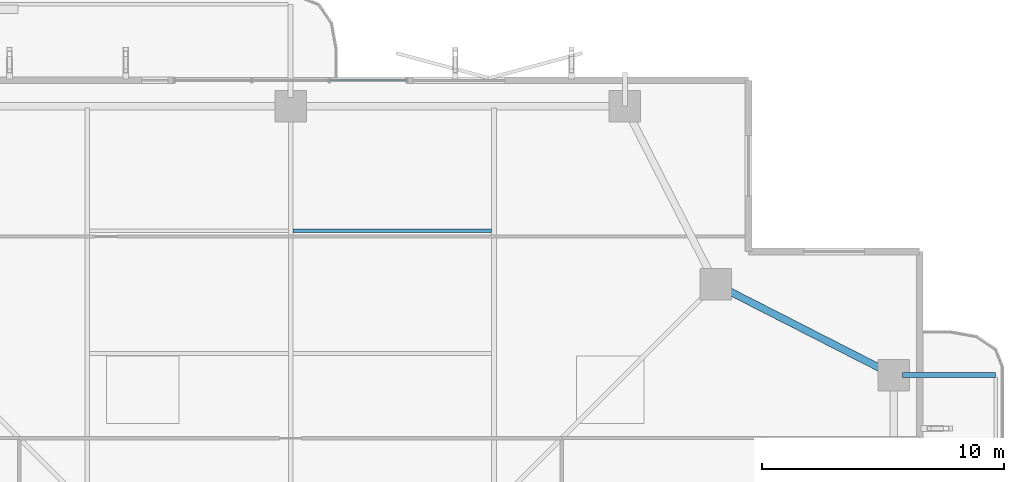
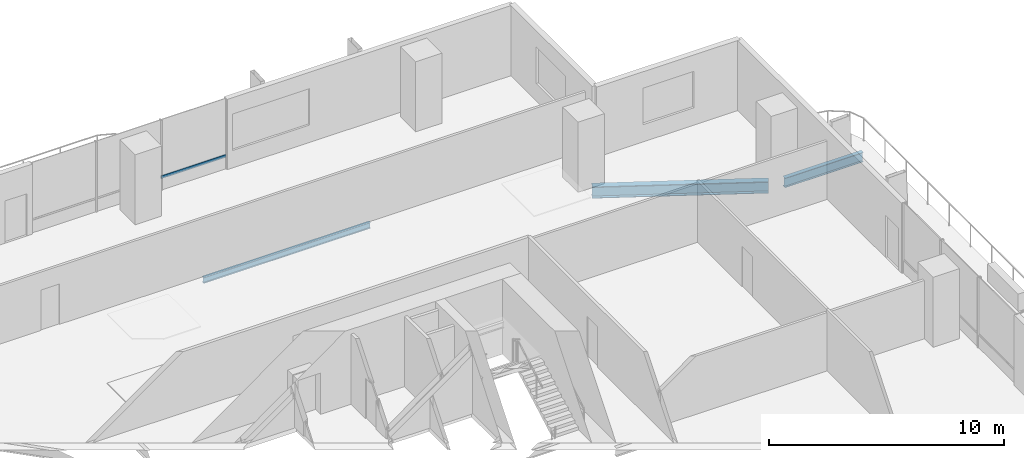
# One storey, part 14 of 24: 3 beams, 1 member, 1 element without a shape of its own.
"""IFC4 building model written with IfcOpenShell, lengths in metres."""

from ifc_helpers import new_model, si_unit, direction, frame, origin, origin_2d, place, context, subcontext, project, spatial, hollow_rectangle, i_section, extrude, material, layer, layer_set, material_profile, profile_set, type_object, element, aggregate, save


model = new_model("IFC4")

# Units and contexts
model_context = context("Model", 3, precision=1e-05, world=origin(), true_north=direction((0.0, 1.0)))
body_context = subcontext(model_context, "Body", "Model", "MODEL_VIEW")
ifc_project = project(units=[si_unit("LENGTHUNIT", "METRE"), si_unit("AREAUNIT", "SQUARE_METRE"), si_unit("VOLUMEUNIT", "CUBIC_METRE"), si_unit("PLANEANGLEUNIT", "RADIAN"), si_unit("MASSUNIT", "GRAM", prefix="KILO")], contexts=[model_context])

# Site, building, storey
site_placement = place(None, origin())
site = spatial("IfcSite", under=ifc_project, at=site_placement, CompositionType="ELEMENT")
building_placement = place(site_placement, origin())
building = spatial("IfcBuilding", under=site, at=building_placement, Name="Belovzor Exchange Tower", CompositionType="ELEMENT")
storey_placement = place(building_placement, frame((0.0, 0.0, 121.199951171875)))
storey = spatial("IfcBuildingStorey", under=building, at=storey_placement, Name="L29", CompositionType="ELEMENT", Elevation=121.199951171875)

# Beams
ifc_material_1 = material(Name="Steel S355", Category="steel")
ifc_material_profile_1 = material_profile(ifc_material_1, i_section(OverallWidth=0.199951171875, OverallDepth=0.5, WebThickness=0.01025390625, FlangeThickness=0.01611328125, at=origin_2d()))
ifc_profile_set_1 = profile_set([ifc_material_profile_1], Name="Steel S355")
beam_type_1 = type_object("IfcBeamType", Name="Planted Balcony Cantilever Beam IPE 500", PredefinedType="BEAM", material=ifc_profile_set_1)
beam_1_placement = place(storey_placement, frame((54.05810546875, 42.60009765625, -0.5), z_axis=(1.0, 0.0, 0.0), x_axis=(0.0, 1.0, 0.0)))
element("IfcBeam", 1, at=beam_1_placement, inside=storey, type_object=beam_type_1, Name="BC-500 Planted Balcony Cantilever Beam IPE 500", PredefinedType="BEAM", context=body_context, shape_type="SweptSolid", body=[
    extrude(i_section(OverallWidth=0.199951171875, OverallDepth=0.5, WebThickness=0.01025390625, FlangeThickness=0.01611328125, at=origin_2d()), origin(), (0.0, 0.0, 1.0), 3.849853515625),
])
ifc_material_2 = material(Name="Steel S355", Category="steel")
ifc_material_profile_2 = material_profile(ifc_material_2, i_section(OverallWidth=0.14990234375, OverallDepth=0.300048828125, WebThickness=0.007080078125, FlangeThickness=0.0107421875, at=origin_2d()))
ifc_profile_set_2 = profile_set([ifc_material_profile_2], Name="Steel S355")
beam_type_2 = type_object("IfcBeamType", Name="Secondary Trim Floor Joist IPE 300", PredefinedType="BEAM", material=ifc_profile_set_2)
beam_2_placement = place(storey_placement, frame((28.89501953125, 48.56103515625, -0.39990234375), z_axis=(1.0, 0.0, 0.0), x_axis=(0.0, 1.0, 0.0)))
element("IfcBeam", 2, at=beam_2_placement, inside=storey, type_object=beam_type_2, Name="FJ-300 Secondary Trim Floor Joist IPE 300", PredefinedType="BEAM", context=body_context, shape_type="SweptSolid", body=[
    extrude(i_section(OverallWidth=0.14990234375, OverallDepth=0.300048828125, WebThickness=0.007080078125, FlangeThickness=0.0107421875, at=origin_2d()), origin(), (0.0, 0.0, 1.0), 8.2099609375),
])

# Curtain wall, member
ifc_material_3 = material(Name="Anodised Aluminium Framing", Category="aluminium")
ifc_layer = layer(ifc_material_3, 0.179931640625)
ifc_layer_set = layer_set([ifc_layer], Name="Anodised Aluminium Framing")
curtain_wall_type = type_object("IfcCurtainWallType", Name="Recessed Loggia Low-Iron Triple-Glazed Curtain Wall", PredefinedType="NOTDEFINED", material=ifc_layer_set)
curtain_wall_placement = place(storey_placement, origin())
curtain_wall = element("IfcCurtainWall", 3, at=curtain_wall_placement, inside=storey, type_object=curtain_wall_type, Name="CW3 Recessed Loggia Low-Iron Triple-Glazed Curtain Wall L29", PredefinedType="NOTDEFINED")
ifc_material_4 = material(Name="Steel S355", Category="steel")
ifc_material_profile_3 = material_profile(ifc_material_4, hollow_rectangle(XDim=0.06005859375, YDim=0.14990234375, WallThickness=0.00390625, at=origin_2d()))
ifc_profile_set_3 = profile_set([ifc_material_profile_3], Name="Steel S355")
member_type = type_object("IfcMemberType", Name="Thermally Broken Curtain Wall Transom 150x60", PredefinedType="USERDEFINED", material=ifc_profile_set_3)
member_placement = place(storey_placement, frame((30.407958984375, 54.77001953125, 0.650146484375), z_axis=(1.0, 0.0, 0.0), x_axis=(0.0, 1.0, 0.0)))
member = element("IfcMember", 4, at=member_placement, type_object=member_type, Name="CW-T150 Curtain Wall Transom 3", ObjectType="TRANSOM", PredefinedType="USERDEFINED", context=body_context, shape_type="SweptSolid", body=[
    extrude(hollow_rectangle(XDim=0.06005859375, YDim=0.14990234375, WallThickness=0.00390625, at=origin_2d()), origin(), (0.0, 0.0, 1.0), 3.18408203125),
])
aggregate(curtain_wall, [member])

# Beam
ifc_material_5 = material(Name="Steel S355", Category="steel")
ifc_material_profile_4 = material_profile(ifc_material_5, i_section(OverallWidth=0.300048828125, OverallDepth=0.60009765625, WebThickness=0.015380859375, FlangeThickness=0.030029296875, at=origin_2d()))
ifc_profile_set_4 = profile_set([ifc_material_profile_4], Name="Steel S355")
beam_type_3 = type_object("IfcBeamType", Name="Zone 2 Primary Perimeter Girder HEB 600", PredefinedType="BEAM", material=ifc_profile_set_4)
beam_3_placement = place(storey_placement, frame((53.382080078125, 42.761962890625, -0.550048828125), z_axis=(-0.890737249989, 0.454518593109, 0.0), x_axis=(-0.454518593109, -0.890737249989, 0.0)))
element("IfcBeam", 5, at=beam_3_placement, inside=storey, type_object=beam_type_3, Name="FG-Z2 Zone 2 Primary Perimeter Girder HEB 600", PredefinedType="BEAM", context=body_context, shape_type="SweptSolid", body=[
    extrude(i_section(OverallWidth=0.300048828125, OverallDepth=0.60009765625, WebThickness=0.015380859375, FlangeThickness=0.030029296875, at=origin_2d()), origin(), (0.0, 0.0, 1.0), 7.53759765625),
])

save(model, "model.ifc")
